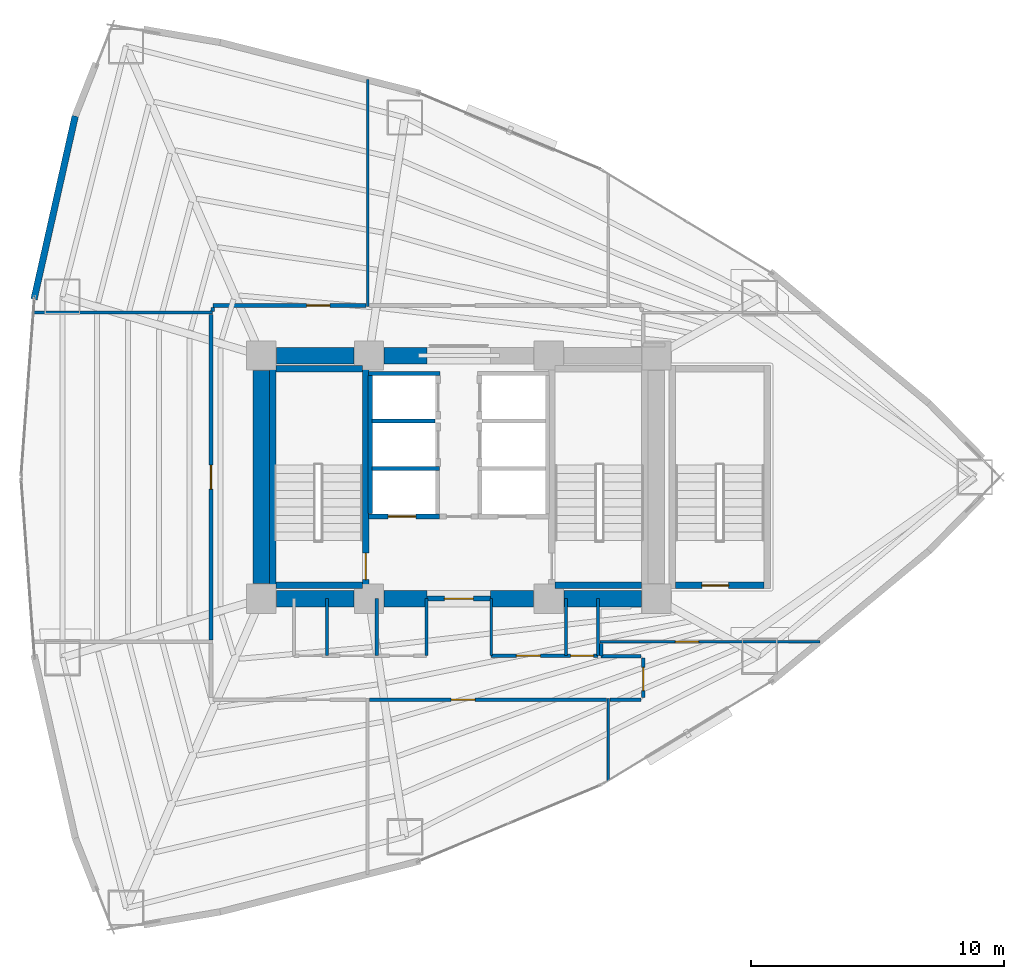
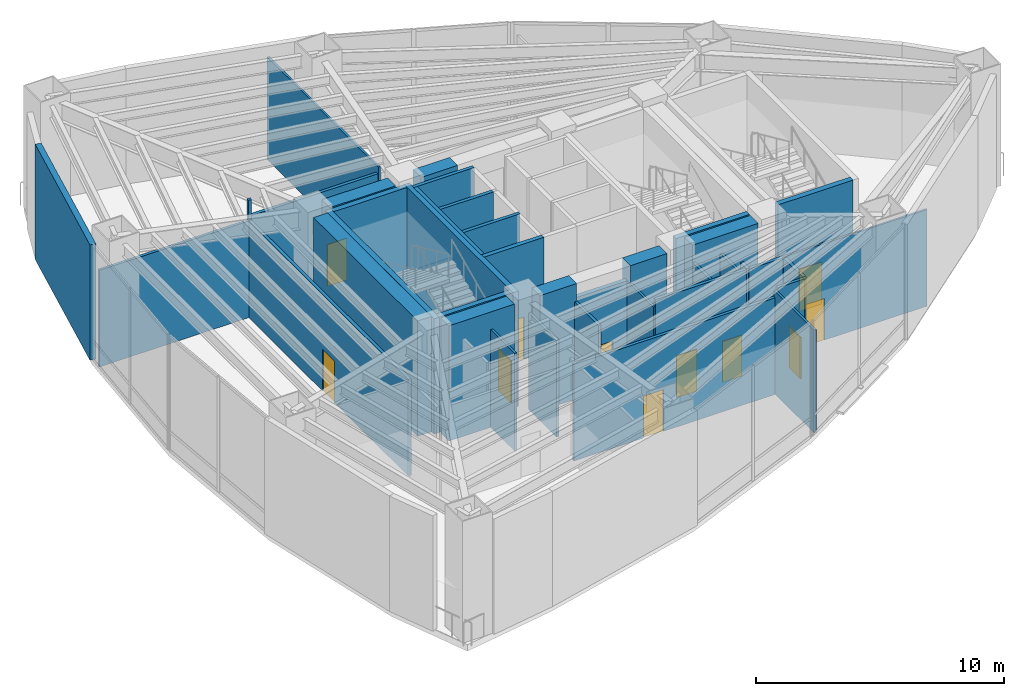
# One storey, part 14 of 19: 39 walls, 11 doors, 11 openings.
"""IFC4 building model written with IfcOpenShell, lengths in metres."""

from ifc_helpers import new_model, si_unit, direction, frame, frame_2d, origin, place, context, subcontext, project, spatial, rectangle, extrude, material, layer, layer_set, type_object, element, fill, save


model = new_model("IFC4")

# Units and contexts
model_context = context("Model", 3, precision=1e-05, world=origin(), true_north=direction((0.0, 1.0)))
body_context = subcontext(model_context, "Body", "Model", "MODEL_VIEW")
ifc_project = project(units=[si_unit("LENGTHUNIT", "METRE"), si_unit("AREAUNIT", "SQUARE_METRE"), si_unit("VOLUMEUNIT", "CUBIC_METRE"), si_unit("PLANEANGLEUNIT", "RADIAN"), si_unit("MASSUNIT", "GRAM", prefix="KILO")], contexts=[model_context])

# Site, building, storey
site_placement = place(None, origin())
site = spatial("IfcSite", under=ifc_project, at=site_placement, CompositionType="ELEMENT")
building_placement = place(site_placement, origin())
building = spatial("IfcBuilding", under=site, at=building_placement, Name="Menara Vayukalpa", CompositionType="ELEMENT")
storey_placement = place(building_placement, frame((0.0, 0.0, 12.0)))
storey = spatial("IfcBuildingStorey", under=building, at=storey_placement, Name="L02", CompositionType="ELEMENT", Elevation=12.0)

# Walls
ifc_material_1 = material(Name="Concrete C80/95", Category="concrete")
ifc_layer_1 = layer(ifc_material_1, 0.64990234375)
ifc_layer_set_1 = layer_set([ifc_layer_1], Name="Concrete C80/95")
wall_type_1 = type_object("IfcWallType", Name="WAL-CW650", PredefinedType="SHEAR", material=ifc_layer_set_1)
wall_1_placement = place(storey_placement, frame((18.39501953125, 17.199951171875, 0.0), z_axis=(0.0, 0.0, 1.0), x_axis=(1.0, 0.0, 0.0)))
element("IfcWall", 1, at=wall_1_placement, inside=storey, type_object=wall_type_1, Name="L02 Buttressed Core Shear Wall CWS1", PredefinedType="SHEAR", context=body_context, shape_type="SweptSolid", body=[
    extrude(rectangle(XDim=3.06005859375, YDim=0.64990234375, at=frame_2d((1.530029296875, 0.0))), origin(), (0.0, 0.0, 1.0), 5.679931640625),
])
wall_2_placement = place(storey_placement, frame((22.64501953125, 17.199951171875, 0.0), z_axis=(0.0, 0.0, 1.0), x_axis=(1.0, 0.0, 0.0)))
element("IfcWall", 2, at=wall_2_placement, inside=storey, type_object=wall_type_1, Name="L02 Buttressed Core Shear Wall CWS2", PredefinedType="SHEAR", context=body_context, shape_type="SweptSolid", body=[
    extrude(rectangle(XDim=1.705078125, YDim=0.64990234375, at=frame_2d((0.8525390625, 0.0))), origin(), (0.0, 0.0, 1.0), 5.679931640625),
])
wall_3_placement = place(storey_placement, frame((26.85009765625, 17.199951171875, 0.0), z_axis=(0.0, 0.0, 1.0), x_axis=(1.0, 0.0, 0.0)))
element("IfcWall", 3, at=wall_3_placement, inside=storey, type_object=wall_type_1, Name="L02 Buttressed Core Shear Wall CWS3", PredefinedType="SHEAR", context=body_context, shape_type="SweptSolid", body=[
    extrude(rectangle(XDim=1.704833984375, YDim=0.64990234375, at=frame_2d((0.8525390625, 0.0))), origin(), (0.0, 0.0, 1.0), 5.679931640625),
])
wall_4_placement = place(storey_placement, frame((29.7451171875, 17.199951171875, 0.0), z_axis=(0.0, 0.0, 1.0), x_axis=(1.0, 0.0, 0.0)))
element("IfcWall", 4, at=wall_4_placement, inside=storey, type_object=wall_type_1, Name="L02 Buttressed Core Shear Wall CWS4", PredefinedType="SHEAR", context=body_context, shape_type="SweptSolid", body=[
    extrude(rectangle(XDim=3.059814453125, YDim=0.64990234375, at=frame_2d((1.52978515625, 0.0))), origin(), (0.0, 0.0, 1.0), 5.679931640625),
])
wall_5_placement = place(storey_placement, frame((18.39501953125, 26.800048828125, 0.0), z_axis=(0.0, 0.0, 1.0), x_axis=(1.0, 0.0, 0.0)))
element("IfcWall", 5, at=wall_5_placement, inside=storey, type_object=wall_type_1, Name="L02 Buttressed Core Shear Wall CWN1", PredefinedType="SHEAR", context=body_context, shape_type="SweptSolid", body=[
    extrude(rectangle(XDim=3.06005859375, YDim=0.64990234375, at=frame_2d((1.530029296875, 0.0))), origin(), (0.0, 0.0, 1.0), 5.679931640625),
])
wall_6_placement = place(storey_placement, frame((22.64501953125, 26.800048828125, 0.0), z_axis=(0.0, 0.0, 1.0), x_axis=(1.0, 0.0, 0.0)))
element("IfcWall", 6, at=wall_6_placement, inside=storey, type_object=wall_type_1, Name="L02 Buttressed Core Shear Wall CWN2", PredefinedType="SHEAR", context=body_context, shape_type="SweptSolid", body=[
    extrude(rectangle(XDim=1.705078125, YDim=0.64990234375, at=frame_2d((0.8525390625, 0.0))), origin(), (0.0, 0.0, 1.0), 5.679931640625),
])
wall_7_placement = place(storey_placement, frame((17.800048828125, 17.794921875, 0.0), z_axis=(0.0, 0.0, 1.0), x_axis=(0.0, 1.0, 0.0)))
element("IfcWall", 7, at=wall_7_placement, inside=storey, type_object=wall_type_1, Name="L02 Buttressed Core Shear Wall CWW1", PredefinedType="SHEAR", context=body_context, shape_type="SweptSolid", body=[
    extrude(rectangle(XDim=8.41015625, YDim=0.64990234375, at=frame_2d((4.205078125, 0.0))), origin(), (0.0, 0.0, 1.0), 5.679931640625),
])
ifc_material_2 = material(Name="Insulated Precast Concrete C40/50", Category="concrete")
ifc_layer_2 = layer(ifc_material_2, 0.260009765625)
ifc_layer_set_2 = layer_set([ifc_layer_2], Name="Insulated Precast Concrete C40/50")
wall_type_2 = type_object("IfcWallType", Name="WAL-EXT260", PredefinedType="PARTITIONING", material=ifc_layer_set_2)
wall_8_placement = place(storey_placement, frame((8.827880859375, 29.021484375, 0.0), z_axis=(0.0, 0.0, 1.0), x_axis=(0.219512195122, 0.975609756098, 0.0)))
element("IfcWall", 8, at=wall_8_placement, inside=storey, type_object=wall_type_2, Name="L02 Perimeter Terracotta Pier Wall 09", PredefinedType="PARTITIONING", context=body_context, shape_type="SweptSolid", body=[
    extrude(rectangle(XDim=7.417236328125, YDim=0.260009765625, at=frame_2d((3.70849609375, 0.0))), origin(), (0.0, 0.0, 1.0), 5.679931640625),
])
ifc_material_3 = material(Name="Lightweight Concrete Blockwork C16/20", Category="masonry")
ifc_layer_3 = layer(ifc_material_3, 0.159912109375)
ifc_layer_set_3 = layer_set([ifc_layer_3], Name="Lightweight Concrete Blockwork C16/20")
wall_type_3 = type_object("IfcWallType", Name="WAL-FR150", PredefinedType="PARTITIONING", material=ifc_layer_set_3)
wall_9_placement = place(storey_placement, frame((22.10498046875, 20.56005859375, 0.0), z_axis=(0.0, 0.0, 1.0), x_axis=(0.0, 1.0, 0.0)))
element("IfcWall", 9, at=wall_9_placement, inside=storey, type_object=wall_type_3, Name="L02 Interior Partition IW-L02-SHW-WW", PredefinedType="PARTITIONING", context=body_context, shape_type="SweptSolid", body=[
    extrude(rectangle(XDim=5.449951171875, YDim=0.159912109375, at=frame_2d((2.72509765625, 0.0))), origin(), (0.0, 0.0, 1.0), 5.679931640625),
])
wall_10_placement = place(storey_placement, frame((22.179931640625, 22.344970703125, 0.0), z_axis=(0.0, 0.0, 1.0), x_axis=(1.0, 0.0, 0.0)))
element("IfcWall", 10, at=wall_10_placement, inside=storey, type_object=wall_type_3, Name="L02 Interior Partition IW-L02-SHM-W12", PredefinedType="PARTITIONING", context=body_context, shape_type="SweptSolid", body=[
    extrude(rectangle(XDim=2.650146484375, YDim=0.159912109375, at=frame_2d((1.3251953125, 0.0))), origin(), (0.0, 0.0, 1.0), 5.679931640625),
])
wall_11_placement = place(storey_placement, frame((22.179931640625, 24.215087890625, 0.0), z_axis=(0.0, 0.0, 1.0), x_axis=(1.0, 0.0, 0.0)))
element("IfcWall", 11, at=wall_11_placement, inside=storey, type_object=wall_type_3, Name="L02 Interior Partition IW-L02-SHM-W23", PredefinedType="PARTITIONING", context=body_context, shape_type="SweptSolid", body=[
    extrude(rectangle(XDim=2.489990234375, YDim=0.159912109375, at=frame_2d((1.2451171875, 0.0))), origin(), (0.0, 0.0, 1.0), 5.679931640625),
])
wall_12_placement = place(storey_placement, frame((22.030029296875, 26.0849609375, 0.0), z_axis=(0.0, 0.0, 1.0), x_axis=(1.0, 0.0, 0.0)))
element("IfcWall", 12, at=wall_12_placement, inside=storey, type_object=wall_type_3, Name="L02 Interior Partition IW-L02-SHM-W3N", PredefinedType="PARTITIONING", context=body_context, shape_type="SweptSolid", body=[
    extrude(rectangle(XDim=2.830078125, YDim=0.159912109375, at=frame_2d((1.4150390625, 0.0))), origin(), (0.0, 0.0, 1.0), 5.679931640625),
])

# Wall, opening, door
ifc_material_4 = material(Name="Lightweight Concrete Blockwork C16/20", Category="masonry")
ifc_layer_4 = layer(ifc_material_4, 0.199951171875)
ifc_layer_set_4 = layer_set([ifc_layer_4], Name="Lightweight Concrete Blockwork C16/20")
wall_type_4 = type_object("IfcWallType", Name="WAL-FR200", PredefinedType="PARTITIONING", material=ifc_layer_set_4)
wall_13_placement = place(storey_placement, frame((24.35009765625, 17.199951171875, 0.0), z_axis=(0.0, 0.0, 1.0), x_axis=(1.0, 0.0, 0.0)))
wall_13 = element("IfcWall", 13, at=wall_13_placement, inside=storey, type_object=wall_type_4, Name="L02 Interior Partition IW-L02-FFLS", PredefinedType="PARTITIONING", context=body_context, shape_type="SweptSolid", body=[
    extrude(rectangle(XDim=2.5, YDim=0.199951171875, at=frame_2d((1.25, 0.0))), origin(), (0.0, 0.0, 1.0), 4.81005859375),
])
opening_1_placement = place(wall_13_placement, frame((0.679931640625, 0.0, 0.0)))
opening_1 = element("IfcOpeningElement", 14, at=opening_1_placement, cuts=wall_13, Name="Opening ID2", PredefinedType="OPENING", context=body_context, shape_type="SweptSolid", body=[
    extrude(rectangle(XDim=1.14990234375, YDim=2.080078125, at=frame_2d((0.574951171875, 1.0400390625))), frame((0.0, 0.10986328125, 0.0), z_axis=(0.0, -1.0, 0.0), x_axis=(1.0, 0.0, 0.0)), (0.0, 0.0, 1.0), 0.219970703125),
])
ifc_material_5 = material(Name="Fire-Rated Powder-Coated Steel Door", Category="steel")
door_type_1 = type_object("IfcDoorType", Name="DR-FD60W", OperationType="NOTDEFINED", PredefinedType="DOOR", material=ifc_material_5)
door_1_placement = place(opening_1_placement, origin())
door_1 = element("IfcDoor", 15, at=door_1_placement, inside=storey, type_object=door_type_1, Name="L02 Interior Door DR-L02-FFLS", OperationType="SINGLE_SWING_RIGHT", OverallHeight=2.080078125, OverallWidth=1.14990234375, PredefinedType="DOOR", context=body_context, shape_type="SweptSolid", body=[
    extrude(rectangle(XDim=1.14990234375, YDim=2.080078125, at=frame_2d((0.574951171875, 1.0400390625))), frame((0.0, 0.02490234375, 0.0), z_axis=(0.0, -1.0, 0.0), x_axis=(1.0, 0.0, 0.0)), (0.0, 0.0, 1.0), 0.050048828125),
])
fill(opening_1, door_1)

wall_14_placement = place(storey_placement, frame((22.030029296875, 20.449951171875, 0.0), z_axis=(0.0, 0.0, 1.0), x_axis=(1.0, 0.0, 0.0)))
wall_14 = element("IfcWall", 16, at=wall_14_placement, inside=storey, type_object=wall_type_4, Name="L02 Interior Partition IW-L02-SH-W1", PredefinedType="PARTITIONING", context=body_context, shape_type="SweptSolid", body=[
    extrude(rectangle(XDim=2.800048828125, YDim=0.199951171875, at=frame_2d((1.39990234375, 0.0))), origin(), (0.0, 0.0, 1.0), 5.679931640625),
])
opening_2_placement = place(wall_14_placement, frame((0.780029296875, 0.0, 0.0)))
opening_2 = element("IfcOpeningElement", 17, at=opening_2_placement, cuts=wall_14, Name="Opening LD1", PredefinedType="OPENING", context=body_context, shape_type="SweptSolid", body=[
    extrude(rectangle(XDim=1.10009765625, YDim=2.080078125, at=frame_2d((0.550048828125, 1.0400390625))), frame((0.0, 0.10986328125, 0.0), z_axis=(0.0, -1.0, 0.0), x_axis=(1.0, 0.0, 0.0)), (0.0, 0.0, 1.0), 0.219970703125),
])
ifc_material_6 = material(Name="Brushed Stainless Steel 316 Lift Door", Category="steel")
door_type_2 = type_object("IfcDoorType", Name="DR-LD110", OperationType="NOTDEFINED", PredefinedType="DOOR", material=ifc_material_6)
door_2_placement = place(opening_2_placement, origin())
door_2 = element("IfcDoor", 18, at=door_2_placement, inside=storey, type_object=door_type_2, Name="L02 Interior Door DR-L02-LD-W1", OperationType="DOUBLE_DOOR_SLIDING", OverallHeight=2.080078125, OverallWidth=1.10009765625, PredefinedType="DOOR", context=body_context, shape_type="SweptSolid", body=[
    extrude(rectangle(XDim=1.10009765625, YDim=2.080078125, at=frame_2d((0.550048828125, 1.0400390625))), frame((0.0, 0.02490234375, 0.0), z_axis=(0.0, -1.0, 0.0), x_axis=(1.0, 0.0, 0.0)), (0.0, 0.0, 1.0), 0.050048828125),
])
fill(opening_2, door_2)

# Wall
ifc_material_7 = material(Name="Glazed Demountable Office Partition", Category="glass")
ifc_layer_5 = layer(ifc_material_7, 0.094970703125)
ifc_layer_set_5 = layer_set([ifc_layer_5], Name="Glazed Demountable Office Partition")
wall_type_5 = type_object("IfcWallType", Name="WAL-PT100", PredefinedType="PARTITIONING", material=ifc_layer_set_5)
wall_15_placement = place(storey_placement, frame((22.0, 28.72998046875, 0.0), z_axis=(0.0, 0.0, 1.0), x_axis=(0.0, 1.0, 0.0)))
element("IfcWall", 19, at=wall_15_placement, inside=storey, type_object=wall_type_5, Name="L02 Interior Partition IW-L02-RDIV02", PredefinedType="PARTITIONING", context=body_context, shape_type="SweptSolid", body=[
    extrude(rectangle(XDim=8.964111328125, YDim=0.094970703125, at=frame_2d((4.48193359375, 0.0))), origin(), (0.0, 0.0, 1.0), 5.06005859375),
])

# Wall, opening, door
wall_16_placement = place(storey_placement, frame((31.169921875, 15.5, 0.0), z_axis=(0.0, 0.0, 1.0), x_axis=(1.0, 0.0, 0.0)))
wall_16 = element("IfcWall", 20, at=wall_16_placement, inside=storey, type_object=wall_type_5, Name="L02 Interior Partition IW-L02-RDIV06", PredefinedType="PARTITIONING", context=body_context, shape_type="SweptSolid", body=[
    extrude(rectangle(XDim=8.689453125, YDim=0.094970703125, at=frame_2d((4.3447265625, 0.0))), origin(), (0.0, 0.0, 1.0), 4.760009765625),
])
opening_3_placement = place(wall_16_placement, frame((2.9833984375, 0.0, 0.0)))
opening_3 = element("IfcOpeningElement", 21, at=opening_3_placement, cuts=wall_16, Name="Opening ID6", PredefinedType="OPENING", context=body_context, shape_type="SweptSolid", body=[
    extrude(rectangle(XDim=0.919921875, YDim=2.050048828125, at=frame_2d((0.4599609375, 1.02490234375))), frame((0.0, 0.057373046875, 0.0), z_axis=(0.0, -1.0, 0.0), x_axis=(1.0, 0.0, 0.0)), (0.0, 0.0, 1.0), 0.114990234375),
])
ifc_material_8 = material(Name="Acoustic Hardwood Veneer Timber Door", Category="wood")
door_type_3 = type_object("IfcDoorType", Name="DR-INT92", OperationType="NOTDEFINED", PredefinedType="DOOR", material=ifc_material_8)
door_3_placement = place(opening_3_placement, origin())
door_3 = element("IfcDoor", 22, at=door_3_placement, inside=storey, type_object=door_type_3, Name="L02 Interior Door DR-L02-STE05", OperationType="SINGLE_SWING_RIGHT", OverallHeight=2.050048828125, OverallWidth=0.919921875, PredefinedType="DOOR", context=body_context, shape_type="SweptSolid", body=[
    extrude(rectangle(XDim=0.919921875, YDim=2.050048828125, at=frame_2d((0.4599609375, 1.02490234375))), frame((0.0, 0.02490234375, 0.0), z_axis=(0.0, -1.0, 0.0), x_axis=(1.0, 0.0, 0.0)), (0.0, 0.0, 1.0), 0.050048828125),
])
fill(opening_3, door_3)

# Walls
ifc_material_9 = material(Name="Acoustic Mineral Stud Partition", Category="masonry")
ifc_layer_6 = layer(ifc_material_9, 0.110107421875)
ifc_layer_set_6 = layer_set([ifc_layer_6], Name="Acoustic Mineral Stud Partition")
wall_type_6 = type_object("IfcWallType", Name="WAL-PT110", PredefinedType="PARTITIONING", material=ifc_layer_set_6)
for number, where, z_axis, x_axis, name in (
    (23, (20.39990234375, 14.949951171875, 0.0), (0.0, 0.0, 1.0), (0.0, 1.0, 0.0), "L02 Interior Partition IW-L02-SVCD-02"),
    (24, (26.8798828125, 14.949951171875, 0.0), (0.0, 0.0, 1.0), (0.0, 1.0, 0.0), "L02 Interior Partition IW-L02-SVCD-05"),
):
    element("IfcWall", number, at=place(storey_placement, frame(where, z_axis=z_axis, x_axis=x_axis)), inside=storey, type_object=wall_type_6, Name=name, PredefinedType="PARTITIONING", context=body_context, shape_type="SweptSolid", body=[
        extrude(rectangle(XDim=2.25, YDim=0.110107421875, at=frame_2d((1.125, 0.0))), origin(), (0.0, 0.0, 1.0), 4.81005859375),
    ])
wall_17_placement = place(storey_placement, frame((31.5, 10.0048828125, 0.0), z_axis=(0.0, 0.0, 1.0), x_axis=(0.0, 1.0, 0.0)))
element("IfcWall", 25, at=wall_17_placement, inside=storey, type_object=wall_type_6, Name="L02 Interior Partition IW-L02-RDIV03", PredefinedType="PARTITIONING", context=body_context, shape_type="SweptSolid", body=[
    extrude(rectangle(XDim=3.255126953125, YDim=0.110107421875, at=frame_2d((1.62744140625, 0.0))), origin(), (0.0, 0.0, 1.0), 5.06005859375),
])
ifc_material_10 = material(Name="Gypsum Drywall Steel Stud Assembly", Category="steel")
ifc_layer_7 = layer(ifc_material_10, 0.125)
ifc_layer_set_7 = layer_set([ifc_layer_7], Name="Gypsum Drywall Steel Stud Assembly")
wall_type_7 = type_object("IfcWallType", Name="WAL-PT125", PredefinedType="PARTITIONING", material=ifc_layer_set_7)
wall_18_placement = place(storey_placement, frame((22.360107421875, 14.949951171875, 0.0), z_axis=(0.0, 0.0, 1.0), x_axis=(0.0, 1.0, 0.0)))
element("IfcWall", 26, at=wall_18_placement, inside=storey, type_object=wall_type_7, Name="L02 Interior Partition IW-L02-SVCD-03", PredefinedType="PARTITIONING", context=body_context, shape_type="SweptSolid", body=[
    extrude(rectangle(XDim=2.25, YDim=0.125, at=frame_2d((1.125, 0.0))), origin(), (0.0, 0.0, 1.0), 4.760009765625),
])
for number, where, z_axis, x_axis, name in (
    (27, (24.320068359375, 14.949951171875, 0.0), (0.0, 0.0, 1.0), (0.0, 1.0, 0.0), "L02 Interior Partition IW-L02-SVCD-04"),
    (28, (29.830078125, 14.949951171875, 0.0), (0.0, 0.0, 1.0), (0.0, 1.0, 0.0), "L02 Interior Partition IW-L02-SVCD-06"),
    (29, (31.10009765625, 14.949951171875, 0.0), (0.0, 0.0, 1.0), (0.0, 1.0, 0.0), "L02 Interior Partition IW-L02-SVCD-07"),
):
    element("IfcWall", number, at=place(storey_placement, frame(where, z_axis=z_axis, x_axis=x_axis)), inside=storey, type_object=wall_type_7, Name=name, PredefinedType="PARTITIONING", context=body_context, shape_type="SweptSolid", body=[
        extrude(rectangle(XDim=2.25, YDim=0.125, at=frame_2d((1.125, 0.0))), origin(), (0.0, 0.0, 1.0), 4.81005859375),
    ])
wall_19_placement = place(storey_placement, frame((8.794921875, 28.5, 0.0), z_axis=(0.0, 0.0, 1.0), x_axis=(1.0, 0.0, 0.0)))
element("IfcWall", 30, at=wall_19_placement, inside=storey, type_object=wall_type_7, Name="L02 Interior Partition IW-L02-RDIV07", PredefinedType="PARTITIONING", context=body_context, shape_type="SweptSolid", body=[
    extrude(rectangle(XDim=7.0751953125, YDim=0.125, at=frame_2d((3.53759765625, 0.0))), origin(), (0.0, 0.0, 1.0), 4.760009765625),
])

# Wall, openings, doors
ifc_material_11 = material(Name="Gypsum Drywall Acoustic Stud Assembly", Category="masonry")
ifc_layer_8 = layer(ifc_material_11, 0.14501953125)
ifc_layer_set_8 = layer_set([ifc_layer_8], Name="Gypsum Drywall Acoustic Stud Assembly")
wall_type_8 = type_object("IfcWallType", Name="WAL-PT150", PredefinedType="PARTITIONING", material=ifc_layer_set_8)
wall_20_placement = place(storey_placement, frame((26.8798828125, 14.949951171875, 0.0), z_axis=(0.0, 0.0, 1.0), x_axis=(1.0, 0.0, 0.0)))
wall_20 = element("IfcWall", 31, at=wall_20_placement, inside=storey, type_object=wall_type_8, Name="L02 Interior Partition IW-L02-SVCS-E", PredefinedType="PARTITIONING", context=body_context, shape_type="SweptSolid", body=[
    extrude(rectangle(XDim=4.22021484375, YDim=0.14501953125, at=frame_2d((2.110107421875, 0.0))), origin(), (0.0, 0.0, 1.0), 5.2099609375),
])
opening_4_placement = place(wall_20_placement, frame((0.9951171875, 0.0, 0.0)))
opening_4 = element("IfcOpeningElement", 32, at=opening_4_placement, cuts=wall_20, Name="Opening ID5", PredefinedType="OPENING", context=body_context, shape_type="SweptSolid", body=[
    extrude(rectangle(XDim=0.949951171875, YDim=2.06005859375, at=frame_2d((0.47509765625, 1.030029296875))), frame((0.0, 0.08251953125, 0.0), z_axis=(0.0, -1.0, 0.0), x_axis=(1.0, 0.0, 0.0)), (0.0, 0.0, 1.0), 0.1650390625),
])
opening_5_placement = place(wall_20_placement, frame((3.139892578125, 0.0, 0.0)))
opening_5 = element("IfcOpeningElement", 33, at=opening_5_placement, cuts=wall_20, Name="Opening ID7", PredefinedType="OPENING", context=body_context, shape_type="SweptSolid", body=[
    extrude(rectangle(XDim=0.89990234375, YDim=2.02001953125, at=frame_2d((0.449951171875, 1.010009765625))), frame((0.0, 0.08251953125, 0.0), z_axis=(0.0, -1.0, 0.0), x_axis=(1.0, 0.0, 0.0)), (0.0, 0.0, 1.0), 0.1650390625),
])
ifc_material_12 = material(Name="Acoustic Hardwood Veneer Timber Door", Category="wood")
door_type_4 = type_object("IfcDoorType", Name="DR-INT95", OperationType="NOTDEFINED", PredefinedType="DOOR", material=ifc_material_12)
door_4_placement = place(opening_4_placement, origin())
door_4 = element("IfcDoor", 34, at=door_4_placement, inside=storey, type_object=door_type_4, Name="L02 Interior Door DR-L02-KSV1", OperationType="SINGLE_SWING_LEFT", OverallHeight=2.06005859375, OverallWidth=0.949951171875, PredefinedType="DOOR", context=body_context, shape_type="SweptSolid", body=[
    extrude(rectangle(XDim=0.949951171875, YDim=2.06005859375, at=frame_2d((0.47509765625, 1.030029296875))), frame((0.0, 0.02490234375, 0.0), z_axis=(0.0, -1.0, 0.0), x_axis=(1.0, 0.0, 0.0)), (0.0, 0.0, 1.0), 0.050048828125),
])
fill(opening_4, door_4)
ifc_material_13 = material(Name="Powder-Coated Steel Riser Access Door", Category="steel")
door_type_5 = type_object("IfcDoorType", Name="DR-RISER", OperationType="NOTDEFINED", PredefinedType="DOOR", material=ifc_material_13)
door_5_placement = place(opening_5_placement, origin())
door_5 = element("IfcDoor", 35, at=door_5_placement, inside=storey, type_object=door_type_5, Name="L02 Interior Door DR-L02-SMD", OperationType="SINGLE_SWING_RIGHT", OverallHeight=2.02001953125, OverallWidth=0.89990234375, PredefinedType="DOOR", context=body_context, shape_type="SweptSolid", body=[
    extrude(rectangle(XDim=0.89990234375, YDim=2.02001953125, at=frame_2d((0.449951171875, 1.010009765625))), frame((0.0, 0.02490234375, 0.0), z_axis=(0.0, -1.0, 0.0), x_axis=(1.0, 0.0, 0.0)), (0.0, 0.0, 1.0), 0.050048828125),
])
fill(opening_5, door_5)

# Wall, opening, door
wall_21_placement = place(storey_placement, frame((22.070068359375, 13.2099609375, 0.0), z_axis=(0.0, 0.0, 1.0), x_axis=(1.0, 0.0, 0.0)))
wall_21 = element("IfcWall", 36, at=wall_21_placement, inside=storey, type_object=wall_type_8, Name="L02 Interior Partition IW-L02-CRM03-1", PredefinedType="PARTITIONING", context=body_context, shape_type="SweptSolid", body=[
    extrude(rectangle(XDim=9.35986328125, YDim=0.14501953125, at=frame_2d((4.679931640625, 0.0))), origin(), (0.0, 0.0, 1.0), 4.760009765625),
])
opening_6_placement = place(wall_21_placement, frame((3.2236328125, 0.0, 0.0)))
opening_6 = element("IfcOpeningElement", 37, at=opening_6_placement, cuts=wall_21, Name="Opening ID5", PredefinedType="OPENING", context=body_context, shape_type="SweptSolid", body=[
    extrude(rectangle(XDim=0.949951171875, YDim=2.06005859375, at=frame_2d((0.47509765625, 1.030029296875))), frame((0.0, 0.08251953125, 0.0), z_axis=(0.0, -1.0, 0.0), x_axis=(1.0, 0.0, 0.0)), (0.0, 0.0, 1.0), 0.1650390625),
])
door_6_placement = place(opening_6_placement, origin())
door_6 = element("IfcDoor", 38, at=door_6_placement, inside=storey, type_object=door_type_4, Name="L02 Interior Door DR-L02-RM03", OperationType="SINGLE_SWING_RIGHT", OverallHeight=2.06005859375, OverallWidth=0.949951171875, PredefinedType="DOOR", context=body_context, shape_type="SweptSolid", body=[
    extrude(rectangle(XDim=0.949951171875, YDim=2.06005859375, at=frame_2d((0.47509765625, 1.030029296875))), frame((0.0, 0.02490234375, 0.0), z_axis=(0.0, -1.0, 0.0), x_axis=(1.0, 0.0, 0.0)), (0.0, 0.0, 1.0), 0.050048828125),
])
fill(opening_6, door_6)

# Wall
wall_22_placement = place(storey_placement, frame((31.570068359375, 13.2099609375, 0.0), z_axis=(0.0, 0.0, 1.0), x_axis=(1.0, 0.0, 0.0)))
element("IfcWall", 39, at=wall_22_placement, inside=storey, type_object=wall_type_8, Name="L02 Interior Partition IW-L02-CRM04-1", PredefinedType="PARTITIONING", context=body_context, shape_type="SweptSolid", body=[
    extrude(rectangle(XDim=1.22998046875, YDim=0.14501953125, at=frame_2d((0.614990234375, 0.0))), origin(), (0.0, 0.0, 1.0), 5.2099609375),
])

# Wall, opening, door
wall_23_placement = place(storey_placement, frame((32.8798828125, 13.2900390625, 0.0), z_axis=(0.0, 0.0, 1.0), x_axis=(0.0, 1.0, 0.0)))
wall_23 = element("IfcWall", 40, at=wall_23_placement, inside=storey, type_object=wall_type_8, Name="L02 Interior Partition IW-L02-CRM04-2", PredefinedType="PARTITIONING", context=body_context, shape_type="SweptSolid", body=[
    extrude(rectangle(XDim=1.56005859375, YDim=0.14501953125, at=frame_2d((0.780029296875, 0.0))), origin(), (0.0, 0.0, 1.0), 5.2099609375),
])
opening_7_placement = place(wall_23_placement, frame((0.280029296875, 0.0, 0.0)))
opening_7 = element("IfcOpeningElement", 41, at=opening_7_placement, cuts=wall_23, Name="Opening ID6", PredefinedType="OPENING", context=body_context, shape_type="SweptSolid", body=[
    extrude(rectangle(XDim=0.919921875, YDim=2.050048828125, at=frame_2d((0.4599609375, 1.02490234375))), frame((0.0, 0.08251953125, 0.0), z_axis=(0.0, -1.0, 0.0), x_axis=(1.0, 0.0, 0.0)), (0.0, 0.0, 1.0), 0.1650390625),
])
door_7_placement = place(opening_7_placement, origin())
door_7 = element("IfcDoor", 42, at=door_7_placement, inside=storey, type_object=door_type_3, Name="L02 Interior Door DR-L02-RM04", OperationType="SINGLE_SWING_LEFT", OverallHeight=2.050048828125, OverallWidth=0.919921875, PredefinedType="DOOR", context=body_context, shape_type="SweptSolid", body=[
    extrude(rectangle(XDim=0.919921875, YDim=2.050048828125, at=frame_2d((0.4599609375, 1.02490234375))), frame((0.0, 0.02490234375, 0.0), z_axis=(0.0, -1.0, 0.0), x_axis=(1.0, 0.0, 0.0)), (0.0, 0.0, 1.0), 0.050048828125),
])
fill(opening_7, door_7)

# Walls
wall_24_placement = place(storey_placement, frame((32.800048828125, 14.929931640625, 0.0), z_axis=(0.0, 0.0, 1.0), x_axis=(-1.0, 0.0, 0.0)))
element("IfcWall", 43, at=wall_24_placement, inside=storey, type_object=wall_type_8, Name="L02 Interior Partition IW-L02-CRM04-3", PredefinedType="PARTITIONING", context=body_context, shape_type="SweptSolid", body=[
    extrude(rectangle(XDim=1.580078125, YDim=0.14501953125, at=frame_2d((0.7900390625, 0.0))), origin(), (0.0, 0.0, 1.0), 5.2099609375),
])
wall_25_placement = place(storey_placement, frame((31.219970703125, 14.929931640625, 0.0), z_axis=(0.0, 0.0, 1.0), x_axis=(0.0, 1.0, 0.0)))
element("IfcWall", 44, at=wall_25_placement, inside=storey, type_object=wall_type_8, Name="L02 Interior Partition IW-L02-CRM04-4", PredefinedType="PARTITIONING", context=body_context, shape_type="SweptSolid", body=[
    extrude(rectangle(XDim=0.5, YDim=0.14501953125, at=frame_2d((0.25, 0.0))), origin(), (0.0, 0.0, 1.0), 5.2099609375),
])

# Wall, opening, door
wall_26_placement = place(storey_placement, frame((21.929931640625, 28.780029296875, 0.0), z_axis=(0.0, 0.0, 1.0), x_axis=(-1.0, 0.0, 0.0)))
wall_26 = element("IfcWall", 45, at=wall_26_placement, inside=storey, type_object=wall_type_8, Name="L02 Interior Partition IW-L02-CRM08-1", PredefinedType="PARTITIONING", context=body_context, shape_type="SweptSolid", body=[
    extrude(rectangle(XDim=6.030029296875, YDim=0.14501953125, at=frame_2d((3.01513671875, 0.0))), origin(), (0.0, 0.0, 1.0), 4.760009765625),
])
opening_8_placement = place(wall_26_placement, frame((1.41748046875, 0.0, 0.0)))
opening_8 = element("IfcOpeningElement", 46, at=opening_8_placement, cuts=wall_26, Name="Opening ID6", PredefinedType="OPENING", context=body_context, shape_type="SweptSolid", body=[
    extrude(rectangle(XDim=0.919921875, YDim=2.050048828125, at=frame_2d((0.4599609375, 1.02490234375))), frame((0.0, 0.08251953125, 0.0), z_axis=(0.0, -1.0, 0.0), x_axis=(1.0, 0.0, 0.0)), (0.0, 0.0, 1.0), 0.1650390625),
])
door_8_placement = place(opening_8_placement, origin())
door_8 = element("IfcDoor", 47, at=door_8_placement, inside=storey, type_object=door_type_3, Name="L02 Interior Door DR-L02-RM08", OperationType="SINGLE_SWING_LEFT", OverallHeight=2.050048828125, OverallWidth=0.919921875, PredefinedType="DOOR", context=body_context, shape_type="SweptSolid", body=[
    extrude(rectangle(XDim=0.919921875, YDim=2.050048828125, at=frame_2d((0.4599609375, 1.02490234375))), frame((0.0, 0.02490234375, 0.0), z_axis=(0.0, -1.0, 0.0), x_axis=(1.0, 0.0, 0.0)), (0.0, 0.0, 1.0), 0.050048828125),
])
fill(opening_8, door_8)

wall_27_placement = place(storey_placement, frame((15.820068359375, 28.429931640625, 0.0), z_axis=(0.0, 0.0, 1.0), x_axis=(0.0, -1.0, 0.0)))
wall_27 = element("IfcWall", 48, at=wall_27_placement, inside=storey, type_object=wall_type_8, Name="L02 Interior Partition IW-L02-CRM09-1", PredefinedType="PARTITIONING", context=body_context, shape_type="SweptSolid", body=[
    extrude(rectangle(XDim=12.85986328125, YDim=0.14501953125, at=frame_2d((6.429931640625, 0.0))), origin(), (0.0, 0.0, 1.0), 4.760009765625),
])
opening_9_placement = place(wall_27_placement, frame((5.955078125, 0.0, 0.0)))
opening_9 = element("IfcOpeningElement", 49, at=opening_9_placement, cuts=wall_27, Name="Opening ID5", PredefinedType="OPENING", context=body_context, shape_type="SweptSolid", body=[
    extrude(rectangle(XDim=0.949951171875, YDim=2.06005859375, at=frame_2d((0.47509765625, 1.030029296875))), frame((0.0, 0.08251953125, 0.0), z_axis=(0.0, -1.0, 0.0), x_axis=(1.0, 0.0, 0.0)), (0.0, 0.0, 1.0), 0.1650390625),
])
door_9_placement = place(opening_9_placement, origin())
door_9 = element("IfcDoor", 50, at=door_9_placement, inside=storey, type_object=door_type_4, Name="L02 Interior Door DR-L02-RM09", OperationType="SINGLE_SWING_RIGHT", OverallHeight=2.06005859375, OverallWidth=0.949951171875, PredefinedType="DOOR", context=body_context, shape_type="SweptSolid", body=[
    extrude(rectangle(XDim=0.949951171875, YDim=2.06005859375, at=frame_2d((0.47509765625, 1.030029296875))), frame((0.0, 0.02490234375, 0.0), z_axis=(0.0, -1.0, 0.0), x_axis=(1.0, 0.0, 0.0)), (0.0, 0.0, 1.0), 0.050048828125),
])
fill(opening_9, door_9)

# Walls
wall_28_placement = place(storey_placement, frame((15.8916015625, 28.700439453125, 0.0), z_axis=(0.0, 0.0, 1.0), x_axis=(-0.107955324157, -0.994155746343, 0.0)))
element("IfcWall", 51, at=wall_28_placement, inside=storey, type_object=wall_type_8, Name="L02 Interior Partition IW-L02-CRM08-1-R1", PredefinedType="PARTITIONING", context=body_context, shape_type="SweptSolid", body=[
    extrude(rectangle(XDim=0.151611328125, YDim=0.14501953125, at=frame_2d((0.07568359375, 0.0))), origin(), (0.0, 0.0, 1.0), 5.679931640625),
])
ifc_material_14 = material(Name="Concrete C50/60", Category="concrete")
ifc_layer_9 = layer(ifc_material_14, 0.25)
ifc_layer_set_9 = layer_set([ifc_layer_9], Name="Concrete C50/60")
wall_type_9 = type_object("IfcWallType", Name="WAL-SW250", PredefinedType="SHEAR", material=ifc_layer_set_9)
wall_29_placement = place(storey_placement, frame((18.25390625, 17.60009765625, 0.0), z_axis=(0.0, 0.0, 1.0), x_axis=(0.0, 1.0, 0.0)))
element("IfcWall", 52, at=wall_29_placement, inside=storey, type_object=wall_type_9, Name="L02 ST1 Structural Stair Shaft Wall W", PredefinedType="SHEAR", context=body_context, shape_type="SweptSolid", body=[
    extrude(rectangle(XDim=8.7998046875, YDim=0.25, at=frame_2d((4.39990234375, 0.0))), origin(), (0.0, 0.0, 1.0), 5.679931640625),
])

# Wall, opening, door
wall_30_placement = place(storey_placement, frame((21.925048828125, 17.60009765625, 0.0), z_axis=(0.0, 0.0, 1.0), x_axis=(0.0, 1.0, 0.0)))
wall_30 = element("IfcWall", 53, at=wall_30_placement, inside=storey, type_object=wall_type_9, Name="L02 ST1 Structural Stair Shaft Wall E", PredefinedType="SHEAR", context=body_context, shape_type="SweptSolid", body=[
    extrude(rectangle(XDim=8.7998046875, YDim=0.25, at=frame_2d((4.39990234375, 0.0))), origin(), (0.0, 0.0, 1.0), 5.679931640625),
])
opening_10_placement = place(wall_30_placement, frame((0.35009765625, 0.0, 0.0)))
opening_10 = element("IfcOpeningElement", 54, at=opening_10_placement, cuts=wall_30, Name="Opening ID1", PredefinedType="OPENING", context=body_context, shape_type="SweptSolid", body=[
    extrude(rectangle(XDim=1.050048828125, YDim=2.080078125, at=frame_2d((0.52490234375, 1.0400390625))), frame((0.0, 0.135009765625, 0.0), z_axis=(0.0, -1.0, 0.0), x_axis=(1.0, 0.0, 0.0)), (0.0, 0.0, 1.0), 0.27001953125),
])
ifc_material_15 = material(Name="Fire-Rated Powder-Coated Steel Door", Category="steel")
door_type_6 = type_object("IfcDoorType", Name="DR-FD120", OperationType="NOTDEFINED", PredefinedType="DOOR", material=ifc_material_15)
door_10_placement = place(opening_10_placement, origin())
door_10 = element("IfcDoor", 55, at=door_10_placement, inside=storey, type_object=door_type_6, Name="L02 Stair Exit Door DR-L02-ST1", OperationType="SINGLE_SWING_LEFT", OverallHeight=2.080078125, OverallWidth=1.050048828125, PredefinedType="DOOR", context=body_context, shape_type="SweptSolid", body=[
    extrude(rectangle(XDim=1.050048828125, YDim=2.080078125, at=frame_2d((0.52490234375, 1.0400390625))), frame((0.0, 0.02490234375, 0.0), z_axis=(0.0, -1.0, 0.0), x_axis=(1.0, 0.0, 0.0)), (0.0, 0.0, 1.0), 0.050048828125),
])
fill(opening_10, door_10)

# Walls
for number, where, z_axis, x_axis, name in (
    (56, (18.37890625, 17.72509765625, 0.0), (0.0, 0.0, 1.0), (1.0, 0.0, 0.0), "L02 ST1 Structural Stair Shaft Wall S"),
    (57, (18.37890625, 26.27490234375, 0.0), (0.0, 0.0, 1.0), (1.0, 0.0, 0.0), "L02 ST1 Structural Stair Shaft Wall N"),
    (58, (29.39990234375, 17.72509765625, 0.0), (0.0, 0.0, 1.0), (1.0, 0.0, 0.0), "L02 ST2 Structural Stair Shaft Wall S"),
):
    element("IfcWall", number, at=place(storey_placement, frame(where, z_axis=z_axis, x_axis=x_axis)), inside=storey, type_object=wall_type_9, Name=name, PredefinedType="SHEAR", context=body_context, shape_type="SweptSolid", body=[
        extrude(rectangle(XDim=3.421142578125, YDim=0.25, at=frame_2d((1.71044921875, 0.0))), origin(), (0.0, 0.0, 1.0), 5.679931640625),
    ])

# Wall, opening, door
wall_31_placement = place(storey_placement, frame((34.14990234375, 17.72509765625, 0.0), z_axis=(0.0, 0.0, 1.0), x_axis=(1.0, 0.0, 0.0)))
wall_31 = element("IfcWall", 59, at=wall_31_placement, inside=storey, type_object=wall_type_9, Name="L02 ST3 Structural Stair Shaft Wall S", PredefinedType="SHEAR", context=body_context, shape_type="SweptSolid", body=[
    extrude(rectangle(XDim=3.5, YDim=0.25, at=frame_2d((1.75, 0.0))), origin(), (0.0, 0.0, 1.0), 5.679931640625),
])
opening_11_placement = place(wall_31_placement, frame((1.050048828125, 0.0, 0.0)))
opening_11 = element("IfcOpeningElement", 60, at=opening_11_placement, cuts=wall_31, Name="Opening ID1", PredefinedType="OPENING", context=body_context, shape_type="SweptSolid", body=[
    extrude(rectangle(XDim=1.050048828125, YDim=2.080078125, at=frame_2d((0.52490234375, 1.0400390625))), frame((0.0, 0.135009765625, 0.0), z_axis=(0.0, -1.0, 0.0), x_axis=(1.0, 0.0, 0.0)), (0.0, 0.0, 1.0), 0.27001953125),
])
door_11_placement = place(opening_11_placement, origin())
door_11 = element("IfcDoor", 61, at=door_11_placement, inside=storey, type_object=door_type_6, Name="L02 Stair Exit Door DR-L02-ST3", OperationType="SINGLE_SWING_RIGHT", OverallHeight=2.080078125, OverallWidth=1.050048828125, PredefinedType="DOOR", context=body_context, shape_type="SweptSolid", body=[
    extrude(rectangle(XDim=1.050048828125, YDim=2.080078125, at=frame_2d((0.52490234375, 1.0400390625))), frame((0.0, 0.02490234375, 0.0), z_axis=(0.0, -1.0, 0.0), x_axis=(1.0, 0.0, 0.0)), (0.0, 0.0, 1.0), 0.050048828125),
])
fill(opening_11, door_11)

save(model, "model.ifc")
